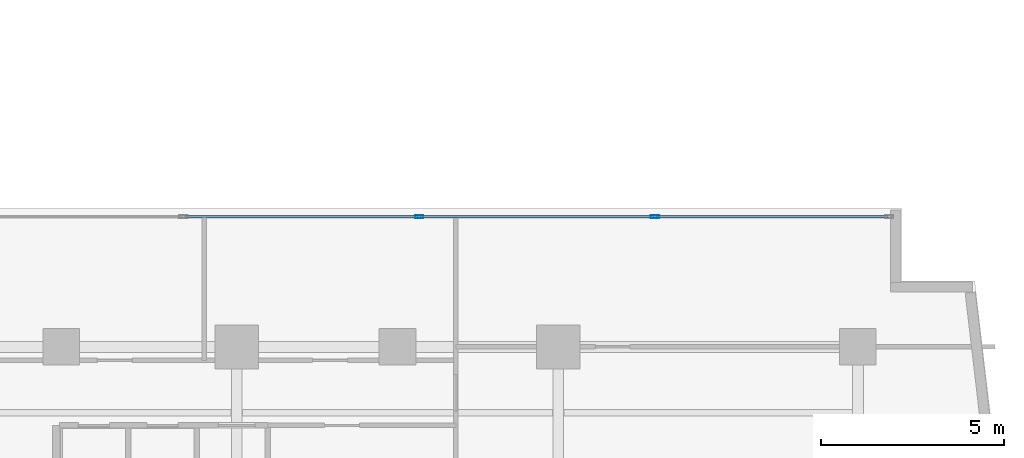
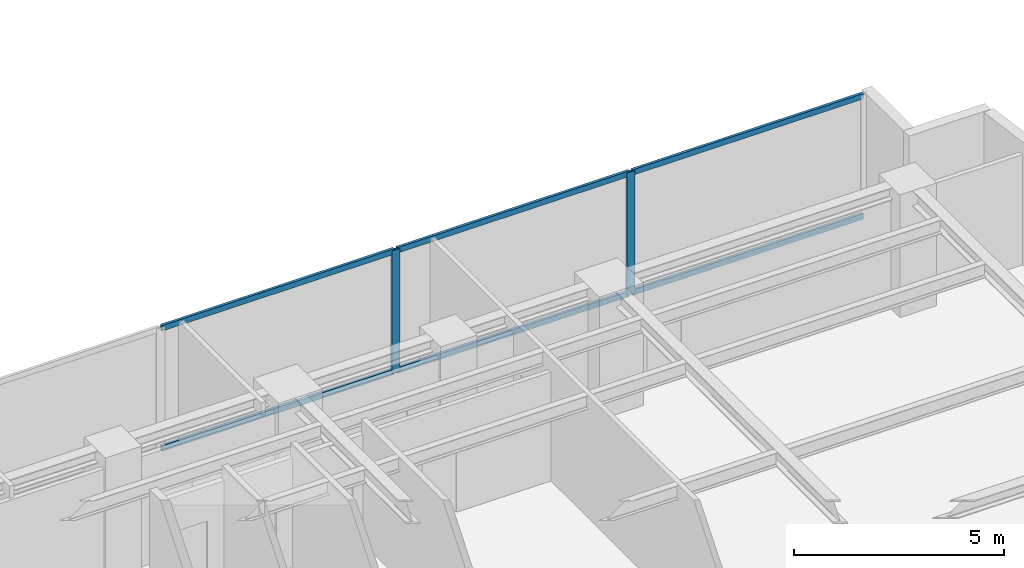
# One storey, part 13 of 23: 8 members, 1 element without a shape of its own.
"""IFC4 building model written with IfcOpenShell, lengths in metres."""

import ifcopenshell
import ifcopenshell.guid

model = None  # the IFC model being written
_history = None  # IfcOwnerHistory: only IFC2X3 demands one
_inside = {}  # id of a spatial element -> (the spatial element, [elements in it])
_under = {}  # id of a project, library or spatial element -> (it, [spatial elements below it])
_declared = {}  # id of a project -> (the project, [libraries it declares])
_typed = {}  # id of a type object -> (the type object, [elements of that type])
_made_of = {}  # id of a material, layer set ... -> (it, [elements and type objects made of it])


def new_model(schema):
    """Start an empty IFC model of exactly this schema.

    Asked for "IFC4X3", IfcOpenShell would pick the latest addendum, in which some entities
    have other attributes; the version numbers below select the first issue.
    IFC2X3 requires an IfcOwnerHistory on every rooted entity: one is made here for all.
    """
    global model, _history
    if schema == "IFC4X3":
        model = ifcopenshell.file(schema_version=(4, 3, 0, 0))
    else:
        model = ifcopenshell.file(schema=schema)
    _inside.clear()
    _under.clear()
    _declared.clear()
    _typed.clear()
    _made_of.clear()
    _history = None
    if model.schema == "IFC2X3":
        org = make("IfcOrganization", Name="unknown")
        user = make(
            "IfcPersonAndOrganization",
            ThePerson=make("IfcPerson", FamilyName="unknown"),
            TheOrganization=org,
        )
        app = make(
            "IfcApplication",
            ApplicationDeveloper=org,
            Version="unknown",
            ApplicationFullName="unknown",
            ApplicationIdentifier="unknown",
        )
        _history = make(
            "IfcOwnerHistory",
            OwningUser=user,
            OwningApplication=app,
            ChangeAction="ADDED",
            CreationDate=0,
        )
    return model


def make(cls, **values):
    """One entity of the class cls with the attributes given. An attribute that is None is left unset."""
    return model.create_entity(
        cls, **{name: value for name, value in values.items() if value is not None}
    )


def rooted(cls, **values):
    """An entity with a GlobalId (a new one), such as an element, a storey or a relation."""
    return make(cls, GlobalId=ifcopenshell.guid.new(), OwnerHistory=_history, **values)


def si_unit(unit_type, name, prefix=None):
    """IfcSIUnit, for example si_unit("LENGTHUNIT", "METRE", prefix="MILLI")."""
    return make("IfcSIUnit", UnitType=unit_type, Prefix=prefix, Name=name)


def assignment(units):
    """IfcUnitAssignment: the units of a project."""
    return None if units is None else make("IfcUnitAssignment", Units=units)


def point(xyz):
    """IfcCartesianPoint."""
    return None if xyz is None else make("IfcCartesianPoint", Coordinates=xyz)


def direction(xyz):
    """IfcDirection."""
    return None if xyz is None else make("IfcDirection", DirectionRatios=xyz)


def frame(location, z_axis=None, x_axis=None):
    """IfcAxis2Placement3D, a coordinate frame: its origin and axes. An axis left out is left unset."""
    return make(
        "IfcAxis2Placement3D",
        Location=point(location),
        Axis=direction(z_axis),
        RefDirection=direction(x_axis),
    )


def frame_2d(location, x_axis=None):
    """IfcAxis2Placement2D, a coordinate frame in the plane: its origin and x axis."""
    return make(
        "IfcAxis2Placement2D", Location=point(location), RefDirection=direction(x_axis)
    )


def origin():
    """The frame at (0, 0, 0) with its axes left unset."""
    return frame((0.0, 0.0, 0.0))


def origin_with_axes():
    """The frame at (0, 0, 0) with the z axis (0, 0, 1) and the x axis (1, 0, 0) written out."""
    return frame((0.0, 0.0, 0.0), z_axis=(0.0, 0.0, 1.0), x_axis=(1.0, 0.0, 0.0))


def origin_2d():
    """The frame at (0, 0) in the plane with its x axis left unset."""
    return frame_2d((0.0, 0.0))


def place(relative_to, where):
    """IfcLocalPlacement: puts the frame where relative to a parent placement (None: the world)."""
    return make(
        "IfcLocalPlacement", PlacementRelTo=relative_to, RelativePlacement=where
    )


def context(
    kind, dimensions, precision=None, world=None, true_north=None, identifier=None
):
    """IfcGeometricRepresentationContext, for example the 3D "Model" context."""
    return make(
        "IfcGeometricRepresentationContext",
        ContextIdentifier=identifier,
        ContextType=kind,
        CoordinateSpaceDimension=dimensions,
        Precision=precision,
        WorldCoordinateSystem=world,
        TrueNorth=true_north,
    )


def subcontext(parent, identifier, kind, view, scale=None):
    """IfcGeometricRepresentationSubContext, for example "Body" below "Model"."""
    return make(
        "IfcGeometricRepresentationSubContext",
        ContextIdentifier=identifier,
        ContextType=kind,
        ParentContext=parent,
        TargetScale=scale,
        TargetView=view,
    )


def project(units=None, contexts=None):
    """IfcProject with its units and contexts."""
    return rooted(
        "IfcProject",
        Name="project",
        RepresentationContexts=contexts,
        UnitsInContext=assignment(units),
    )


def spatial(cls, under=None, at=None, **own):
    """A site, building, storey or space (cls), placed at a placement, below another one or the project."""
    s = rooted(cls, ObjectPlacement=at, **own)
    if under is not None:
        _under.setdefault(under.id(), (under, []))[1].append(s)
    return s


def profile(cls, at=None, kind="AREA", **sizes):
    """A parametric profile (cls). Its sizes go by their IFC names, for example OverallWidth=200.0."""
    return make(cls, ProfileType=kind, Position=at, **sizes)


def hollow_rectangle(**sizes):
    """IfcRectangleHollowProfileDef."""
    return profile("IfcRectangleHollowProfileDef", **sizes)


def extrude(swept, where, along, depth):
    """IfcExtrudedAreaSolid: the profile swept, set in the frame where, extruded along a direction by depth."""
    return make(
        "IfcExtrudedAreaSolid",
        SweptArea=swept,
        Position=where,
        ExtrudedDirection=direction(along),
        Depth=depth,
    )


def shape(context_of_items, identifier, shape_type, items):
    """IfcShapeRepresentation: the items that make up one representation, for example the "Body"."""
    return make(
        "IfcShapeRepresentation",
        ContextOfItems=context_of_items,
        RepresentationIdentifier=identifier,
        RepresentationType=shape_type,
        Items=items,
    )


def source(mapping_origin, context_of_items, identifier, shape_type, items):
    """IfcRepresentationMap: a shape defined once, which mapped items show again and again."""
    return make(
        "IfcRepresentationMap",
        MappingOrigin=mapping_origin,
        MappedRepresentation=shape(context_of_items, identifier, shape_type, items),
    )


def transform(
    local_origin,
    x_axis=None,
    y_axis=None,
    z_axis=None,
    scale=None,
    scale2=None,
    scale3=None,
    uniform=True,
):
    """IfcCartesianTransformationOperator3D, or its non-uniform kind. x_axis, y_axis, z_axis: its Axis1, 2, 3."""
    if uniform:
        return make(
            "IfcCartesianTransformationOperator3D",
            Axis1=direction(x_axis),
            Axis2=direction(y_axis),
            LocalOrigin=point(local_origin),
            Scale=scale,
            Axis3=direction(z_axis),
        )
    return make(
        "IfcCartesianTransformationOperator3DnonUniform",
        Axis1=direction(x_axis),
        Axis2=direction(y_axis),
        LocalOrigin=point(local_origin),
        Scale=scale,
        Axis3=direction(z_axis),
        Scale2=scale2,
        Scale3=scale3,
    )


def mapped(mapping_source, mapping_target):
    """IfcMappedItem: shows the shape of a source again, moved by a transform."""
    return make(
        "IfcMappedItem", MappingSource=mapping_source, MappingTarget=mapping_target
    )


def material(Name=None, Category=None):
    """IfcMaterial."""
    return make("IfcMaterial", Name=Name, Category=Category)


def layer(
    of_material, thickness, ventilated=None, Name=None, Category=None, Priority=None
):
    """IfcMaterialLayer: one layer of a wall or slab, of a material (None: an air gap)."""
    return make(
        "IfcMaterialLayer",
        Material=of_material,
        LayerThickness=thickness,
        IsVentilated=ventilated,
        Name=Name,
        Category=Category,
        Priority=Priority,
    )


def layer_set(layers, Name=None):
    """IfcMaterialLayerSet."""
    return make("IfcMaterialLayerSet", MaterialLayers=layers, LayerSetName=Name)


def material_profile(
    of_material, cross_section, Name=None, Category=None, Priority=None
):
    """IfcMaterialProfile: a cross section and its material."""
    return make(
        "IfcMaterialProfile",
        Name=Name,
        Material=of_material,
        Profile=cross_section,
        Priority=Priority,
        Category=Category,
    )


def profile_set(profiles, Name=None, composite=None):
    """IfcMaterialProfileSet."""
    return make(
        "IfcMaterialProfileSet",
        Name=Name,
        MaterialProfiles=profiles,
        CompositeProfile=composite,
    )


def made_of(thing, what):
    """Note that an element or type object is made of a material, layer set ...; save() writes the relation."""
    if what is not None:
        _made_of.setdefault(what.id(), (what, []))[1].append(thing)
    return thing


def type_object(cls, material=None, **own):
    """A type object (cls), such as IfcWallType, which elements share."""
    return made_of(rooted(cls, **own), material)


def element(
    cls,
    number,
    at=None,
    inside=None,
    cuts=None,
    type_object=None,
    material=None,
    context=None,
    identifier="Body",
    shape_type=None,
    held_by="IfcProductDefinitionShape",
    body=None,
    shapes=None,
    **own,
):
    """One element of the class cls, such as IfcWall. Its Tag is "e" and its number.

    at: its placement. inside: the storey or other place that contains it. cuts: it is an
    opening in that element (IfcRelVoidsElement). A single representation is given by context,
    identifier, shape_type and body (its items); several are given by shapes. held_by: the class
    of the entity that holds the representations. save() writes the other relations.
    """
    e = rooted(cls, Tag="e%d" % number, ObjectPlacement=at, **own)
    if body is not None:
        shapes = [shape(context, identifier, shape_type, body)]
    if shapes is not None:
        e.Representation = make(held_by, Representations=shapes)
    if inside is not None:
        _inside.setdefault(inside.id(), (inside, []))[1].append(e)
    if cuts is not None:
        rooted(
            "IfcRelVoidsElement", RelatingBuildingElement=cuts, RelatedOpeningElement=e
        )
    if type_object is not None:
        _typed.setdefault(type_object.id(), (type_object, []))[1].append(e)
    return made_of(e, material)


def aggregate(whole, parts):
    """IfcRelAggregates: a whole, such as a stair, and the parts it consists of."""
    return rooted("IfcRelAggregates", RelatingObject=whole, RelatedObjects=parts)


def save(model, path):
    """Write the relations noted so far, then the file.

    IfcRelAggregates (storeys below a building ...), IfcRelContainedInSpatialStructure (elements
    in a storey), IfcRelDefinesByType, IfcRelAssociatesMaterial and IfcRelDeclares: one each for
    every whole, place, type object, material and project.
    """
    for whole, parts in _under.values():
        aggregate(whole, parts)
    for where, things in _inside.values():
        rooted(
            "IfcRelContainedInSpatialStructure",
            RelatedElements=things,
            RelatingStructure=where,
        )
    for kind, things in _typed.values():
        rooted("IfcRelDefinesByType", RelatedObjects=things, RelatingType=kind)
    for what, things in _made_of.values():
        rooted("IfcRelAssociatesMaterial", RelatedObjects=things, RelatingMaterial=what)
    for by, libraries in _declared.values():
        rooted("IfcRelDeclares", RelatingContext=by, RelatedDefinitions=libraries)
    model.write(path)


model = new_model("IFC4")

# Units and contexts
model_context = context("Model", 3, precision=1e-05, world=origin(), true_north=direction((0.0, 1.0)))
body_context = subcontext(model_context, "Body", "Model", "MODEL_VIEW")
ifc_project = project(units=[si_unit("LENGTHUNIT", "METRE"), si_unit("AREAUNIT", "SQUARE_METRE"), si_unit("VOLUMEUNIT", "CUBIC_METRE"), si_unit("PLANEANGLEUNIT", "RADIAN"), si_unit("MASSUNIT", "GRAM", prefix="KILO")], contexts=[model_context])

# Site, building, storey
site_placement = place(None, origin())
site = spatial("IfcSite", under=ifc_project, at=site_placement, CompositionType="ELEMENT")
building_placement = place(site_placement, origin())
building = spatial("IfcBuilding", under=site, at=building_placement, Name="Kolvaren Waterfront Exchange", CompositionType="ELEMENT")
storey_placement = place(building_placement, frame((0.0, 0.0, 188.0)))
storey = spatial("IfcBuildingStorey", under=building, at=storey_placement, Name="L48", CompositionType="ELEMENT", Elevation=188.0)

# Curtain wall, members
ifc_material_1 = material(Name="Anodised bronze aluminium 6063-T6", Category="aluminium")
ifc_layer = layer(ifc_material_1, 0.219970703125, Name="Anodised bronze aluminium 6063-T6")
ifc_layer_set = layer_set([ifc_layer], Name="Anodised bronze aluminium 6063-T6")
curtain_wall_type = type_object("IfcCurtainWallType", Name="ARC-CW-SYS1", PredefinedType="USERDEFINED", material=ifc_layer_set)
curtain_wall_placement = place(storey_placement, origin())
curtain_wall = element("IfcCurtainWall", 1, at=curtain_wall_placement, inside=storey, type_object=curtain_wall_type, Name="L48 stick curtain wall CW1 (CW-L48-EN)", ObjectType="STICK CURTAIN WALL", PredefinedType="USERDEFINED")
ifc_material_2 = material(Name="Anodised aluminium 6063-T6", Category="aluminium")
ifc_material_profile_1 = material_profile(ifc_material_2, hollow_rectangle(XDim=0.080078125, YDim=0.219970703125, WallThickness=0.0048828125, at=origin_2d()), Name="ALU-MUL-220x80x5")
ifc_profile_set_1 = profile_set([ifc_material_profile_1], Name="Anodised aluminium 6063-T6")
member_type_1 = type_object("IfcMemberType", Name="ARC-CWM-220", PredefinedType="MULLION", material=ifc_profile_set_1)
shared_shape_1 = source(origin_with_axes(), body_context, "Body", "SweptSolid", [
    extrude(hollow_rectangle(XDim=0.080078125, YDim=0.219970703125, WallThickness=0.0048828125, at=origin_2d()), origin(), (0.0, 0.0, 1.0), 3.56005859375),
])
member_1_placement = place(storey_placement, frame((41.794921875, 20.9599609375, 0.0), z_axis=(0.0, 0.0, 1.0), x_axis=(0.0, 1.0, 0.0)))
member_1 = element("IfcMember", 2, at=member_1_placement, type_object=member_type_1, Name="CW1 mullion 3", PredefinedType="MULLION", context=body_context, shape_type="MappedRepresentation", body=[
    mapped(shared_shape_1, transform((0.0, 0.0, 0.0), x_axis=(1.0, 0.0, 0.0), y_axis=(0.0, 1.0, 0.0), z_axis=(0.0, 0.0, 1.0), scale=1.0)),
])
member_2_placement = place(storey_placement, frame((48.24755859375, 20.9599609375, 0.0), z_axis=(0.0, 0.0, 1.0), x_axis=(0.0, 1.0, 0.0)))
member_2 = element("IfcMember", 3, at=member_2_placement, type_object=member_type_1, Name="CW1 mullion 4", PredefinedType="MULLION", context=body_context, shape_type="MappedRepresentation", body=[
    mapped(shared_shape_1, transform((0.0, 0.0, 0.0), x_axis=(1.0, 0.0, 0.0), y_axis=(0.0, 1.0, 0.0), z_axis=(0.0, 0.0, 1.0), scale=1.0)),
])
ifc_material_profile_2 = material_profile(ifc_material_2, hollow_rectangle(XDim=0.074951171875, YDim=0.159912109375, WallThickness=0.00439453125, at=origin_2d()), Name="ALU-TRN-160x75x4.5")
ifc_profile_set_2 = profile_set([ifc_material_profile_2], Name="Anodised aluminium 6063-T6")
member_type_2 = type_object("IfcMemberType", Name="ARC-CWT-160", PredefinedType="USERDEFINED", material=ifc_profile_set_2)
shared_shape_2 = source(origin_with_axes(), body_context, "Body", "SweptSolid", [
    extrude(hollow_rectangle(XDim=0.074951171875, YDim=0.159912109375, WallThickness=0.00439453125, at=origin_2d()), origin(), (0.0, 0.0, 1.0), 6.33251953125),
])
member_3_placement = place(storey_placement, frame((48.28759765625, 20.9599609375, 0.03759765625), z_axis=(1.0, 0.0, 0.0), x_axis=(0.0, 1.0, 0.0)))
member_3 = element("IfcMember", 4, at=member_3_placement, type_object=member_type_2, Name="CW1 transom 4.1", ObjectType="TRANSOM", PredefinedType="USERDEFINED", context=body_context, shape_type="MappedRepresentation", body=[
    mapped(shared_shape_2, transform((0.0, 0.0, 0.0), x_axis=(1.0, 0.0, 0.0), y_axis=(0.0, 1.0, 0.0), z_axis=(0.0, 0.0, 1.0), scale=1.0)),
])
member_4_placement = place(storey_placement, frame((48.28759765625, 20.9599609375, 3.5224609375), z_axis=(1.0, 0.0, 0.0), x_axis=(0.0, 1.0, 0.0)))
member_4 = element("IfcMember", 5, at=member_4_placement, type_object=member_type_2, Name="CW1 transom 4.2", ObjectType="TRANSOM", PredefinedType="USERDEFINED", context=body_context, shape_type="MappedRepresentation", body=[
    mapped(shared_shape_2, transform((0.0, 0.0, 0.0), x_axis=(1.0, 0.0, 0.0), y_axis=(0.0, 1.0, 0.0), z_axis=(0.0, 0.0, 1.0), scale=1.0)),
])
shared_shape_3 = source(origin_with_axes(), body_context, "Body", "SweptSolid", [
    extrude(hollow_rectangle(XDim=0.074951171875, YDim=0.159912109375, WallThickness=0.00439453125, at=origin_2d()), origin(), (0.0, 0.0, 1.0), 6.372314453125),
])
member_5_placement = place(storey_placement, frame((35.382568359375, 20.9599609375, 0.03759765625), z_axis=(1.0, 0.0, 0.0), x_axis=(0.0, 1.0, 0.0)))
member_5 = element("IfcMember", 6, at=member_5_placement, type_object=member_type_2, Name="CW1 transom 2.1", ObjectType="TRANSOM", PredefinedType="USERDEFINED", context=body_context, shape_type="MappedRepresentation", body=[
    mapped(shared_shape_3, transform((0.0, 0.0, 0.0), x_axis=(1.0, 0.0, 0.0), y_axis=(0.0, 1.0, 0.0), z_axis=(0.0, 0.0, 1.0), scale=1.0)),
])
member_6_placement = place(storey_placement, frame((35.382568359375, 20.9599609375, 3.5224609375), z_axis=(1.0, 0.0, 0.0), x_axis=(0.0, 1.0, 0.0)))
member_6 = element("IfcMember", 7, at=member_6_placement, type_object=member_type_2, Name="CW1 transom 2.2", ObjectType="TRANSOM", PredefinedType="USERDEFINED", context=body_context, shape_type="MappedRepresentation", body=[
    mapped(shared_shape_3, transform((0.0, 0.0, 0.0), x_axis=(1.0, 0.0, 0.0), y_axis=(0.0, 1.0, 0.0), z_axis=(0.0, 0.0, 1.0), scale=1.0)),
])
shared_shape_4 = source(origin_with_axes(), body_context, "Body", "SweptSolid", [
    extrude(hollow_rectangle(XDim=0.074951171875, YDim=0.159912109375, WallThickness=0.00439453125, at=origin_2d()), origin(), (0.0, 0.0, 1.0), 6.37255859375),
])
member_7_placement = place(storey_placement, frame((41.8349609375, 20.9599609375, 0.03759765625), z_axis=(1.0, 0.0, 0.0), x_axis=(0.0, 1.0, 0.0)))
member_7 = element("IfcMember", 8, at=member_7_placement, type_object=member_type_2, Name="CW1 transom 3.1", ObjectType="TRANSOM", PredefinedType="USERDEFINED", context=body_context, shape_type="MappedRepresentation", body=[
    mapped(shared_shape_4, transform((0.0, 0.0, 0.0), x_axis=(1.0, 0.0, 0.0), y_axis=(0.0, 1.0, 0.0), z_axis=(0.0, 0.0, 1.0), scale=1.0)),
])
member_8_placement = place(storey_placement, frame((41.8349609375, 20.9599609375, 3.5224609375), z_axis=(1.0, 0.0, 0.0), x_axis=(0.0, 1.0, 0.0)))
member_8 = element("IfcMember", 9, at=member_8_placement, type_object=member_type_2, Name="CW1 transom 3.2", ObjectType="TRANSOM", PredefinedType="USERDEFINED", context=body_context, shape_type="MappedRepresentation", body=[
    mapped(shared_shape_4, transform((0.0, 0.0, 0.0), x_axis=(1.0, 0.0, 0.0), y_axis=(0.0, 1.0, 0.0), z_axis=(0.0, 0.0, 1.0), scale=1.0)),
])
aggregate(curtain_wall, [member_1, member_2, member_5, member_6, member_7, member_8, member_3, member_4])

save(model, "model.ifc")
